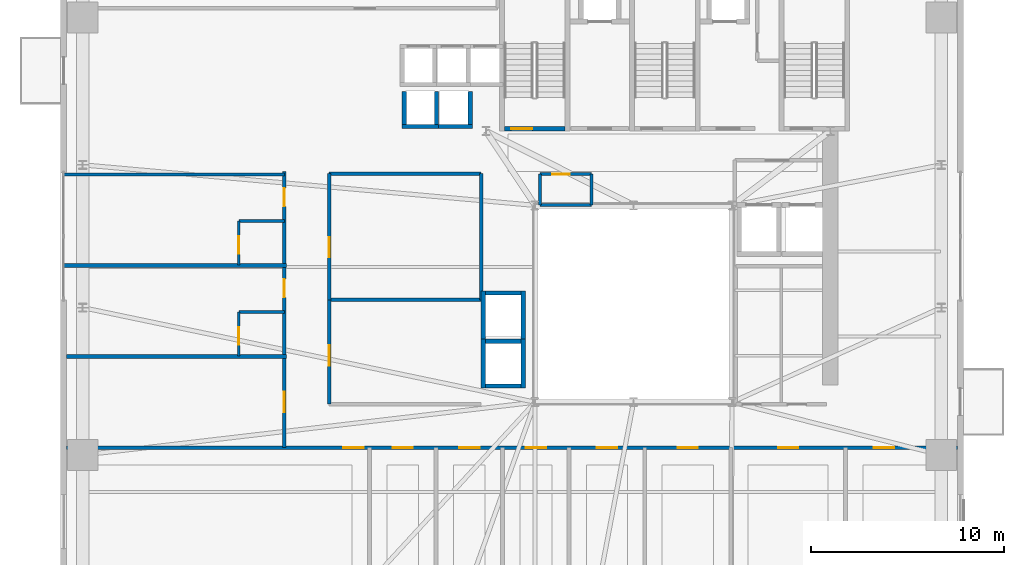
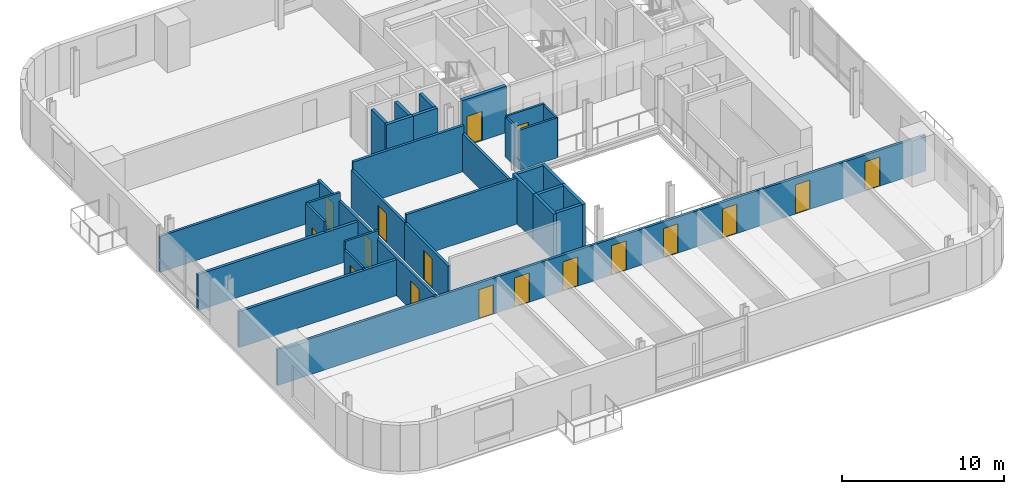
# One storey, part 6 of 14: 31 walls, 17 doors, 17 openings.
"""IFC4 building model written with IfcOpenShell, lengths in metres."""

from ifc_helpers import new_model, si_unit, direction, frame, frame_2d, origin, place, context, subcontext, project, spatial, rectangle, extrude, source, transform, mapped, material, layer, layer_set, type_object, element, fill, save


model = new_model("IFC4")

# Units and contexts
model_context = context("Model", 3, precision=1e-05, world=origin(), true_north=direction((0.0, 1.0)))
body_context = subcontext(model_context, "Body", "Model", "MODEL_VIEW")
ifc_project = project(units=[si_unit("LENGTHUNIT", "METRE"), si_unit("AREAUNIT", "SQUARE_METRE"), si_unit("VOLUMEUNIT", "CUBIC_METRE"), si_unit("PLANEANGLEUNIT", "RADIAN"), si_unit("MASSUNIT", "GRAM", prefix="KILO")], contexts=[model_context])

# Site, building, storey
site_placement = place(None, origin())
site = spatial("IfcSite", under=ifc_project, at=site_placement, CompositionType="ELEMENT")
building_placement = place(site_placement, origin())
building = spatial("IfcBuilding", under=site, at=building_placement, Name="Vardaveli Station Tower", CompositionType="ELEMENT")
storey_placement = place(building_placement, frame((0.0, 0.0, 133.5)))
storey = spatial("IfcBuildingStorey", under=building, at=storey_placement, Name="L34", CompositionType="ELEMENT", Elevation=133.5)

# Wall, opening, door
ifc_material_1 = material(Name="Concrete C40/50", Category="concrete")
ifc_layer_1 = layer(ifc_material_1, 0.25, Name="Concrete C40/50")
ifc_layer_set_1 = layer_set([ifc_layer_1], Name="Concrete C40/50")
wall_type_1 = type_object("IfcWallType", Name="WAL-SHAFT-250", PredefinedType="SOLIDWALL", material=ifc_layer_set_1)
shared_shape_1 = source(origin(), body_context, "Body", "SweptSolid", [
    extrude(rectangle(XDim=3.14990234375, YDim=0.25, at=frame_2d((1.574951171875, 0.0))), origin(), (0.0, 0.0, 1.0), 3.5),
])
wall_1_placement = place(storey_placement, frame((29.60009765625, 30.77490234375, 0.0), z_axis=(0.0, 0.0, 1.0), x_axis=(1.0, 0.0, 0.0)))
wall_1 = element("IfcWall", 1, at=wall_1_placement, inside=storey, type_object=wall_type_1, Name="W-L34-ST-1S", PredefinedType="SOLIDWALL", context=body_context, shape_type="MappedRepresentation", body=[
    mapped(shared_shape_1, transform((0.0, 0.0, 0.0), scale=1.0)),
])
shared_shape_2 = source(origin(), body_context, "Body", "SweptSolid", [
    extrude(rectangle(XDim=1.10009765625, YDim=2.199951171875, at=frame_2d((0.550048828125, 1.10009765625))), frame((0.0, 0.135009765625, 0.0), z_axis=(0.0, -1.0, 0.0), x_axis=(1.0, 0.0, 0.0)), (0.0, 0.0, 1.0), 0.27001953125),
])
opening_1_placement = place(wall_1_placement, frame((0.35009765625, 0.0, 0.0)))
opening_1 = element("IfcOpeningElement", 2, at=opening_1_placement, cuts=wall_1, Name="Opening D-04", PredefinedType="OPENING", context=body_context, shape_type="MappedRepresentation", body=[
    mapped(shared_shape_2, transform((0.0, 0.0, 0.0), scale=1.0)),
])
ifc_material_2 = material(Name="Steel smokeproof fire doorset", Category="steel")
door_type_1 = type_object("IfcDoorType", Name="DR-ST-1100x2200", OperationType="NOTDEFINED", PredefinedType="DOOR", material=ifc_material_2)
shared_shape_3 = source(origin(), body_context, "Body", "SweptSolid", [
    extrude(rectangle(XDim=1.10009765625, YDim=2.199951171875, at=frame_2d((0.550048828125, 1.10009765625))), frame((0.0, 0.02490234375, 0.0), z_axis=(0.0, -1.0, 0.0), x_axis=(1.0, 0.0, 0.0)), (0.0, 0.0, 1.0), 0.050048828125),
])
door_1_placement = place(opening_1_placement, origin())
door_1 = element("IfcDoor", 3, at=door_1_placement, inside=storey, type_object=door_type_1, Name="DST-1-L34", OperationType="SINGLE_SWING_LEFT", OverallHeight=2.199951171875, OverallWidth=1.10009765625, PredefinedType="DOOR", context=body_context, shape_type="MappedRepresentation", body=[
    mapped(shared_shape_3, transform((0.0, 0.0, 0.0), scale=1.0)),
])
fill(opening_1, door_1)

# Walls
ifc_layer_2 = layer(ifc_material_1, 0.219970703125, Name="Concrete C40/50")
ifc_layer_set_2 = layer_set([ifc_layer_2], Name="Concrete C40/50")
wall_type_2 = type_object("IfcWallType", Name="WAL-FFLOBBY-220", PredefinedType="SOLIDWALL", material=ifc_layer_set_2)
shared_shape_4 = source(origin(), body_context, "Body", "SweptSolid", [
    extrude(rectangle(XDim=1.89013671875, YDim=0.219970703125, at=frame_2d((0.945068359375, 0.0))), origin(), (0.0, 0.0, 1.0), 3.4599609375),
])
for number, where, z_axis, x_axis, name in (
    (4, (24.304931640625, 30.889892578125, 0.0), (0.0, 0.0, 1.0), (1.0, 0.0, 0.0), "SHW-SHU-01-L34-S"),
    (5, (26.054931640625, 30.889892578125, 0.0), (0.0, 0.0, 1.0), (1.0, 0.0, 0.0), "SHW-SHU-02-L34-S"),
):
    element("IfcWall", number, at=place(storey_placement, frame(where, z_axis=z_axis, x_axis=x_axis)), inside=storey, type_object=wall_type_2, Name=name, PredefinedType="SOLIDWALL", context=body_context, shape_type="MappedRepresentation", body=[
        mapped(shared_shape_4, transform((0.0, 0.0, 0.0), scale=1.0)),
    ])
shared_shape_5 = source(origin(), body_context, "Body", "SweptSolid", [
    extrude(rectangle(XDim=1.699951171875, YDim=0.219970703125, at=frame_2d((0.85009765625, 0.0))), origin(), (0.0, 0.0, 1.0), 3.4599609375),
])
for number, where, z_axis, x_axis, name in (
    (6, (24.4150390625, 31.0, 0.0), (0.0, 0.0, 1.0), (0.0, 1.0, 0.0), "SHW-SHU-01-L34-W"),
    (7, (26.0849609375, 31.0, 0.0), (0.0, 0.0, 1.0), (0.0, 1.0, 0.0), "SHW-SHU-01-L34-E"),
    (8, (27.8349609375, 31.0, 0.0), (0.0, 0.0, 1.0), (0.0, 1.0, 0.0), "SHW-SHU-02-L34-E"),
):
    element("IfcWall", number, at=place(storey_placement, frame(where, z_axis=z_axis, x_axis=x_axis)), inside=storey, type_object=wall_type_2, Name=name, PredefinedType="SOLIDWALL", context=body_context, shape_type="MappedRepresentation", body=[
        mapped(shared_shape_5, transform((0.0, 0.0, 0.0), scale=1.0)),
    ])
shared_shape_6 = source(origin(), body_context, "Body", "SweptSolid", [
    extrude(rectangle(XDim=1.85009765625, YDim=0.219970703125, at=frame_2d((0.925048828125, 0.0))), origin(), (0.0, 0.0, 1.0), 3.4599609375),
])
for number, where, z_axis, x_axis, name in (
    (9, (28.625, 17.43994140625, 0.0), (0.0, 0.0, 1.0), (1.0, 0.0, 0.0), "SHW-OBS-01-L34-S"),
    (10, (28.625, 19.760009765625, 0.0), (0.0, 0.0, 1.0), (1.0, 0.0, 0.0), "SHW-OBS-01-L34-N"),
    (11, (28.625, 22.260009765625, 0.0), (0.0, 0.0, 1.0), (1.0, 0.0, 0.0), "SHW-OBS-02-L34-N"),
):
    element("IfcWall", number, at=place(storey_placement, frame(where, z_axis=z_axis, x_axis=x_axis)), inside=storey, type_object=wall_type_2, Name=name, PredefinedType="SOLIDWALL", context=body_context, shape_type="MappedRepresentation", body=[
        mapped(shared_shape_6, transform((0.0, 0.0, 0.0), scale=1.0)),
    ])
shared_shape_7 = source(origin(), body_context, "Body", "SweptSolid", [
    extrude(rectangle(XDim=2.5400390625, YDim=0.219970703125, at=frame_2d((1.27001953125, 0.0))), origin(), (0.0, 0.0, 1.0), 3.4599609375),
])
for number, where, z_axis, x_axis, name in (
    (12, (28.514892578125, 17.330078125, 0.0), (0.0, 0.0, 1.0), (0.0, 1.0, 0.0), "SHW-OBS-01-L34-W"),
    (13, (30.5849609375, 17.330078125, 0.0), (0.0, 0.0, 1.0), (0.0, 1.0, 0.0), "SHW-OBS-01-L34-E"),
    (14, (28.514892578125, 19.830078125, 0.0), (0.0, 0.0, 1.0), (0.0, 1.0, 0.0), "SHW-OBS-02-L34-W"),
    (15, (30.5849609375, 19.830078125, 0.0), (0.0, 0.0, 1.0), (0.0, 1.0, 0.0), "SHW-OBS-02-L34-E"),
):
    element("IfcWall", number, at=place(storey_placement, frame(where, z_axis=z_axis, x_axis=x_axis)), inside=storey, type_object=wall_type_2, Name=name, PredefinedType="SOLIDWALL", context=body_context, shape_type="MappedRepresentation", body=[
        mapped(shared_shape_7, transform((0.0, 0.0, 0.0), scale=1.0)),
    ])

# Wall, openings, doors
ifc_material_3 = material(Name="Fire-rated gypsum stud partition")
ifc_layer_3 = layer(ifc_material_3, 0.179931640625, Name="Fire-rated gypsum stud partition")
ifc_layer_set_3 = layer_set([ifc_layer_3], Name="Fire-rated gypsum stud partition")
wall_type_3 = type_object("IfcWallType", Name="WAL-CORR-180", PredefinedType="PARTITIONING", material=ifc_layer_set_3)
shared_shape_8 = source(origin(), body_context, "Body", "SweptSolid", [
    extrude(rectangle(XDim=46.15576171875, YDim=0.179931640625, at=frame_2d((23.077880859375, 0.0))), origin(), (0.0, 0.0, 1.0), 2.701904296875),
])
wall_2_placement = place(storey_placement, frame((6.922119140625, 14.25, 0.0), z_axis=(0.0, 0.0, 1.0), x_axis=(1.0, 0.0, 0.0)))
wall_2 = element("IfcWall", 16, at=wall_2_placement, inside=storey, type_object=wall_type_3, Name="W-L34-CS", PredefinedType="PARTITIONING", context=body_context, shape_type="MappedRepresentation", body=[
    mapped(shared_shape_8, transform((0.0, 0.0, 0.0), scale=1.0)),
])
shared_shape_9 = source(origin(), body_context, "Body", "SweptSolid", [
    extrude(rectangle(XDim=1.050048828125, YDim=2.199951171875, at=frame_2d((0.52490234375, 1.10009765625))), frame((0.0, 0.10009765625, 0.0), z_axis=(0.0, -1.0, 0.0), x_axis=(1.0, 0.0, 0.0)), (0.0, 0.0, 1.0), 0.199951171875),
])
opening_2_placement = place(wall_2_placement, frame((14.33837890625, 0.0, 0.0)))
opening_2 = element("IfcOpeningElement", 17, at=opening_2_placement, cuts=wall_2, Name="Opening D-05", PredefinedType="OPENING", context=body_context, shape_type="MappedRepresentation", body=[
    mapped(shared_shape_9, transform((0.0, 0.0, 0.0), scale=1.0)),
])
opening_3_placement = place(wall_2_placement, frame((16.893310546875, 0.0, 0.0)))
opening_3 = element("IfcOpeningElement", 18, at=opening_3_placement, cuts=wall_2, Name="Opening D-05", PredefinedType="OPENING", context=body_context, shape_type="MappedRepresentation", body=[
    mapped(shared_shape_9, transform((0.0, 0.0, 0.0), scale=1.0)),
])
opening_4_placement = place(wall_2_placement, frame((20.343505859375, 0.0, 0.0)))
opening_4 = element("IfcOpeningElement", 19, at=opening_4_placement, cuts=wall_2, Name="Opening D-05", PredefinedType="OPENING", context=body_context, shape_type="MappedRepresentation", body=[
    mapped(shared_shape_9, transform((0.0, 0.0, 0.0), scale=1.0)),
])
opening_5_placement = place(wall_2_placement, frame((23.79345703125, 0.0, 0.0)))
opening_5 = element("IfcOpeningElement", 20, at=opening_5_placement, cuts=wall_2, Name="Opening D-05", PredefinedType="OPENING", context=body_context, shape_type="MappedRepresentation", body=[
    mapped(shared_shape_9, transform((0.0, 0.0, 0.0), scale=1.0)),
])
opening_6_placement = place(wall_2_placement, frame((27.47900390625, 0.0, 0.0)))
opening_6 = element("IfcOpeningElement", 21, at=opening_6_placement, cuts=wall_2, Name="Opening D-05", PredefinedType="OPENING", context=body_context, shape_type="MappedRepresentation", body=[
    mapped(shared_shape_9, transform((0.0, 0.0, 0.0), scale=1.0)),
])
opening_7_placement = place(wall_2_placement, frame((31.666015625, 0.0, 0.0)))
opening_7 = element("IfcOpeningElement", 22, at=opening_7_placement, cuts=wall_2, Name="Opening D-05", PredefinedType="OPENING", context=body_context, shape_type="MappedRepresentation", body=[
    mapped(shared_shape_9, transform((0.0, 0.0, 0.0), scale=1.0)),
])
opening_8_placement = place(wall_2_placement, frame((36.868896484375, 0.0, 0.0)))
opening_8 = element("IfcOpeningElement", 23, at=opening_8_placement, cuts=wall_2, Name="Opening D-05", PredefinedType="OPENING", context=body_context, shape_type="MappedRepresentation", body=[
    mapped(shared_shape_9, transform((0.0, 0.0, 0.0), scale=1.0)),
])
opening_9_placement = place(wall_2_placement, frame((41.827880859375, 0.0, 0.0)))
opening_9 = element("IfcOpeningElement", 24, at=opening_9_placement, cuts=wall_2, Name="Opening D-05", PredefinedType="OPENING", context=body_context, shape_type="MappedRepresentation", body=[
    mapped(shared_shape_9, transform((0.0, 0.0, 0.0), scale=1.0)),
])
ifc_material_4 = material(Name="Walnut veneer acoustic fire door")
door_type_2 = type_object("IfcDoorType", Name="DR-SUITE-1050x2200", OperationType="NOTDEFINED", PredefinedType="DOOR", material=ifc_material_4)
shared_shape_10 = source(origin(), body_context, "Body", "SweptSolid", [
    extrude(rectangle(XDim=1.050048828125, YDim=2.199951171875, at=frame_2d((0.52490234375, 1.10009765625))), frame((0.0, 0.02490234375, 0.0), z_axis=(0.0, -1.0, 0.0), x_axis=(1.0, 0.0, 0.0)), (0.0, 0.0, 1.0), 0.050048828125),
])
door_2_placement = place(opening_2_placement, origin())
door_2 = element("IfcDoor", 25, at=door_2_placement, inside=storey, type_object=door_type_2, Name="D-L34-SA1", OperationType="SINGLE_SWING_RIGHT", OverallHeight=2.199951171875, OverallWidth=1.050048828125, PredefinedType="DOOR", context=body_context, shape_type="MappedRepresentation", body=[
    mapped(shared_shape_10, transform((0.0, 0.0, 0.0), scale=1.0)),
])
fill(opening_2, door_2)
door_3_placement = place(opening_3_placement, origin())
door_3 = element("IfcDoor", 26, at=door_3_placement, inside=storey, type_object=door_type_2, Name="D-L34-SA2", OperationType="SINGLE_SWING_LEFT", OverallHeight=2.199951171875, OverallWidth=1.050048828125, PredefinedType="DOOR", context=body_context, shape_type="MappedRepresentation", body=[
    mapped(shared_shape_10, transform((0.0, 0.0, 0.0), scale=1.0)),
])
fill(opening_3, door_3)
door_4_placement = place(opening_4_placement, origin())
door_4 = element("IfcDoor", 27, at=door_4_placement, inside=storey, type_object=door_type_2, Name="D-L34-SA3", OperationType="SINGLE_SWING_RIGHT", OverallHeight=2.199951171875, OverallWidth=1.050048828125, PredefinedType="DOOR", context=body_context, shape_type="MappedRepresentation", body=[
    mapped(shared_shape_10, transform((0.0, 0.0, 0.0), scale=1.0)),
])
fill(opening_4, door_4)
door_5_placement = place(opening_5_placement, origin())
door_5 = element("IfcDoor", 28, at=door_5_placement, inside=storey, type_object=door_type_2, Name="D-L34-SA4", OperationType="SINGLE_SWING_LEFT", OverallHeight=2.199951171875, OverallWidth=1.050048828125, PredefinedType="DOOR", context=body_context, shape_type="MappedRepresentation", body=[
    mapped(shared_shape_10, transform((0.0, 0.0, 0.0), scale=1.0)),
])
fill(opening_5, door_5)
door_6_placement = place(opening_6_placement, origin())
door_6 = element("IfcDoor", 29, at=door_6_placement, inside=storey, type_object=door_type_2, Name="D-L34-SA5", OperationType="SINGLE_SWING_RIGHT", OverallHeight=2.199951171875, OverallWidth=1.050048828125, PredefinedType="DOOR", context=body_context, shape_type="MappedRepresentation", body=[
    mapped(shared_shape_10, transform((0.0, 0.0, 0.0), scale=1.0)),
])
fill(opening_6, door_6)
door_7_placement = place(opening_7_placement, origin())
door_7 = element("IfcDoor", 30, at=door_7_placement, inside=storey, type_object=door_type_2, Name="D-L34-SA6", OperationType="SINGLE_SWING_LEFT", OverallHeight=2.199951171875, OverallWidth=1.050048828125, PredefinedType="DOOR", context=body_context, shape_type="MappedRepresentation", body=[
    mapped(shared_shape_10, transform((0.0, 0.0, 0.0), scale=1.0)),
])
fill(opening_7, door_7)
door_8_placement = place(opening_8_placement, origin())
door_8 = element("IfcDoor", 31, at=door_8_placement, inside=storey, type_object=door_type_2, Name="D-L34-SA7", OperationType="SINGLE_SWING_RIGHT", OverallHeight=2.199951171875, OverallWidth=1.050048828125, PredefinedType="DOOR", context=body_context, shape_type="MappedRepresentation", body=[
    mapped(shared_shape_10, transform((0.0, 0.0, 0.0), scale=1.0)),
])
fill(opening_8, door_8)
door_9_placement = place(opening_9_placement, origin())
door_9 = element("IfcDoor", 32, at=door_9_placement, inside=storey, type_object=door_type_2, Name="D-L34-SA8", OperationType="SINGLE_SWING_LEFT", OverallHeight=2.199951171875, OverallWidth=1.050048828125, PredefinedType="DOOR", context=body_context, shape_type="MappedRepresentation", body=[
    mapped(shared_shape_10, transform((0.0, 0.0, 0.0), scale=1.0)),
])
fill(opening_9, door_9)

# Wall, opening, door
shared_shape_11 = source(origin(), body_context, "Body", "SweptSolid", [
    extrude(rectangle(XDim=6.5400390625, YDim=0.179931640625, at=frame_2d((3.27001953125, 0.0))), origin(), (0.0, 0.0, 1.0), 2.85205078125),
])
wall_3_placement = place(storey_placement, frame((20.52001953125, 21.89990234375, 0.0), z_axis=(0.0, 0.0, 1.0), x_axis=(0.0, 1.0, 0.0)))
wall_3 = element("IfcWall", 33, at=wall_3_placement, inside=storey, type_object=wall_type_3, Name="W-L34-ATW2-W", PredefinedType="PARTITIONING", context=body_context, shape_type="MappedRepresentation", body=[
    mapped(shared_shape_11, transform((0.0, 0.0, 0.0), scale=1.0)),
])
opening_10_placement = place(wall_3_placement, frame((2.199951171875, 0.0, 0.0)))
opening_10 = element("IfcOpeningElement", 34, at=opening_10_placement, cuts=wall_3, Name="Opening D-05", PredefinedType="OPENING", context=body_context, shape_type="MappedRepresentation", body=[
    mapped(shared_shape_9, transform((0.0, 0.0, 0.0), scale=1.0)),
])
door_10_placement = place(opening_10_placement, origin())
door_10 = element("IfcDoor", 35, at=door_10_placement, inside=storey, type_object=door_type_2, Name="D-L34-ATW2", OperationType="SINGLE_SWING_LEFT", OverallHeight=2.199951171875, OverallWidth=1.050048828125, PredefinedType="DOOR", context=body_context, shape_type="MappedRepresentation", body=[
    mapped(shared_shape_10, transform((0.0, 0.0, 0.0), scale=1.0)),
])
fill(opening_10, door_10)

# Wall
wall_4_placement = place(storey_placement, frame((28.39990234375, 21.89990234375, 0.0), z_axis=(0.0, 0.0, 1.0), x_axis=(0.0, 1.0, 0.0)))
element("IfcWall", 36, at=wall_4_placement, inside=storey, type_object=wall_type_3, Name="W-L34-ATW2-E", PredefinedType="PARTITIONING", context=body_context, shape_type="MappedRepresentation", body=[
    mapped(shared_shape_11, transform((0.0, 0.0, 0.0), scale=1.0)),
])

# Wall, opening, door
shared_shape_12 = source(origin(), body_context, "Body", "SweptSolid", [
    extrude(rectangle(XDim=5.39990234375, YDim=0.179931640625, at=frame_2d((2.699951171875, 0.0))), origin(), (0.0, 0.0, 1.0), 2.85205078125),
])
wall_5_placement = place(storey_placement, frame((20.52001953125, 16.5, 0.0), z_axis=(0.0, 0.0, 1.0), x_axis=(0.0, 1.0, 0.0)))
wall_5 = element("IfcWall", 37, at=wall_5_placement, inside=storey, type_object=wall_type_3, Name="W-L34-ATW1-W", PredefinedType="PARTITIONING", context=body_context, shape_type="MappedRepresentation", body=[
    mapped(shared_shape_12, transform((0.0, 0.0, 0.0), scale=1.0)),
])
opening_11_placement = place(wall_5_placement, frame((2.0, 0.0, 0.0)))
opening_11 = element("IfcOpeningElement", 38, at=opening_11_placement, cuts=wall_5, Name="Opening D-05", PredefinedType="OPENING", context=body_context, shape_type="MappedRepresentation", body=[
    mapped(shared_shape_9, transform((0.0, 0.0, 0.0), scale=1.0)),
])
door_11_placement = place(opening_11_placement, origin())
door_11 = element("IfcDoor", 39, at=door_11_placement, inside=storey, type_object=door_type_2, Name="D-L34-ATW1", OperationType="SINGLE_SWING_RIGHT", OverallHeight=2.199951171875, OverallWidth=1.050048828125, PredefinedType="DOOR", context=body_context, shape_type="MappedRepresentation", body=[
    mapped(shared_shape_10, transform((0.0, 0.0, 0.0), scale=1.0)),
])
fill(opening_11, door_11)

ifc_material_5 = material(Name="Moisture-resistant stud partition")
ifc_layer_4 = layer(ifc_material_5, 0.14990234375, Name="Moisture-resistant stud partition")
ifc_layer_set_4 = layer_set([ifc_layer_4], Name="Moisture-resistant stud partition")
wall_type_4 = type_object("IfcWallType", Name="WAL-WET-150", PredefinedType="PARTITIONING", material=ifc_layer_set_4)
shared_shape_13 = source(origin(), body_context, "Body", "SweptSolid", [
    extrude(rectangle(XDim=2.670166015625, YDim=0.14990234375, at=frame_2d((1.3349609375, 0.0))), origin(), (0.0, 0.0, 1.0), 3.092041015625),
])
wall_6_placement = place(storey_placement, frame((31.449951171875, 28.419921875, 0.0), z_axis=(0.0, 0.0, 1.0), x_axis=(1.0, 0.0, 0.0)))
wall_6 = element("IfcWall", 40, at=wall_6_placement, inside=storey, type_object=wall_type_4, Name="W-L34-WCA1-N", PredefinedType="PARTITIONING", context=body_context, shape_type="MappedRepresentation", body=[
    mapped(shared_shape_13, transform((0.0, 0.0, 0.0), scale=1.0)),
])
shared_shape_14 = source(origin(), body_context, "Body", "SweptSolid", [
    extrude(rectangle(XDim=0.919921875, YDim=2.10009765625, at=frame_2d((0.4599609375, 1.050048828125))), frame((0.0, 0.0849609375, 0.0), z_axis=(0.0, -1.0, 0.0), x_axis=(1.0, 0.0, 0.0)), (0.0, 0.0, 1.0), 0.169921875),
])
opening_12_placement = place(wall_6_placement, frame((0.6298828125, 0.0, 0.0)))
opening_12 = element("IfcOpeningElement", 41, at=opening_12_placement, cuts=wall_6, Name="Opening D-07", PredefinedType="OPENING", context=body_context, shape_type="MappedRepresentation", body=[
    mapped(shared_shape_14, transform((0.0, 0.0, 0.0), scale=1.0)),
])
ifc_material_6 = material(Name="Moisture-resistant hardwood door", Category="wood")
door_type_3 = type_object("IfcDoorType", Name="DR-WC-920x2100", OperationType="NOTDEFINED", PredefinedType="DOOR", material=ifc_material_6)
shared_shape_15 = source(origin(), body_context, "Body", "SweptSolid", [
    extrude(rectangle(XDim=0.919921875, YDim=2.10009765625, at=frame_2d((0.4599609375, 1.050048828125))), frame((0.0, 0.02490234375, 0.0), z_axis=(0.0, -1.0, 0.0), x_axis=(1.0, 0.0, 0.0)), (0.0, 0.0, 1.0), 0.050048828125),
])
door_12_placement = place(opening_12_placement, origin())
door_12 = element("IfcDoor", 42, at=door_12_placement, inside=storey, type_object=door_type_3, Name="D-L34-WCA", OperationType="SINGLE_SWING_LEFT", OverallHeight=2.10009765625, OverallWidth=0.919921875, PredefinedType="DOOR", context=body_context, shape_type="MappedRepresentation", body=[
    mapped(shared_shape_15, transform((0.0, 0.0, 0.0), scale=1.0)),
])
fill(opening_12, door_12)

# Walls
shared_shape_16 = source(origin(), body_context, "Body", "SweptSolid", [
    extrude(rectangle(XDim=11.469970703125, YDim=0.179931640625, at=frame_2d((5.73486328125, 0.0))), origin(), (0.0, 0.0, 1.0), 2.701904296875),
])
wall_7_placement = place(storey_placement, frame((6.72998046875, 28.39990234375, 0.0), z_axis=(0.0, 0.0, 1.0), x_axis=(1.0, 0.0, 0.0)))
element("IfcWall", 43, at=wall_7_placement, inside=storey, type_object=wall_type_3, Name="W-L34-CWN", PredefinedType="PARTITIONING", context=body_context, shape_type="MappedRepresentation", body=[
    mapped(shared_shape_16, transform((0.0, 0.0, 0.0), scale=1.0)),
])
shared_shape_17 = source(origin(), body_context, "Body", "SweptSolid", [
    extrude(rectangle(XDim=7.8798828125, YDim=0.179931640625, at=frame_2d((3.93994140625, 0.0))), origin(), (0.0, 0.0, 1.0), 3.4599609375),
])
for number, where, z_axis, x_axis, name in (
    (44, (20.52001953125, 21.89990234375, 0.0), (0.0, 0.0, 1.0), (1.0, 0.0, 0.0), "W-L34-ATW1-N"),
    (45, (20.52001953125, 28.43994140625, 0.0), (0.0, 0.0, 1.0), (1.0, 0.0, 0.0), "W-L34-ATW2-N"),
):
    element("IfcWall", number, at=place(storey_placement, frame(where, z_axis=z_axis, x_axis=x_axis)), inside=storey, type_object=wall_type_3, Name=name, PredefinedType="PARTITIONING", context=body_context, shape_type="MappedRepresentation", body=[
        mapped(shared_shape_17, transform((0.0, 0.0, 0.0), scale=1.0)),
    ])
shared_shape_18 = source(origin(), body_context, "Body", "SweptSolid", [
    extrude(rectangle(XDim=2.670166015625, YDim=0.14990234375, at=frame_2d((1.3349609375, 0.0))), origin(), (0.0, 0.0, 1.0), 3.001953125),
])
wall_8_placement = place(storey_placement, frame((31.449951171875, 26.820068359375, 0.0), z_axis=(0.0, 0.0, 1.0), x_axis=(1.0, 0.0, 0.0)))
element("IfcWall", 46, at=wall_8_placement, inside=storey, type_object=wall_type_4, Name="W-L34-WCA1-S", PredefinedType="PARTITIONING", context=body_context, shape_type="MappedRepresentation", body=[
    mapped(shared_shape_18, transform((0.0, 0.0, 0.0), scale=1.0)),
])

# Wall, opening, door
shared_shape_19 = source(origin(), body_context, "Body", "SweptSolid", [
    extrude(rectangle(XDim=2.2900390625, YDim=0.14990234375, at=frame_2d((1.14501953125, 0.0))), origin(), (0.0, 0.0, 1.0), 2.85205078125),
])
wall_9_placement = place(storey_placement, frame((15.840087890625, 18.987060546875, 0.0), z_axis=(0.0, 0.0, 1.0), x_axis=(0.0, 1.0, 0.0)))
wall_9 = element("IfcWall", 47, at=wall_9_placement, inside=storey, type_object=wall_type_4, Name="W-L34-BW2-W", PredefinedType="PARTITIONING", context=body_context, shape_type="MappedRepresentation", body=[
    mapped(shared_shape_19, transform((0.0, 0.0, 0.0), scale=1.0)),
])
shared_shape_20 = source(origin(), body_context, "Body", "SweptSolid", [
    extrude(rectangle(XDim=0.89990234375, YDim=2.10009765625, at=frame_2d((0.449951171875, 1.050048828125))), frame((0.0, 0.0849609375, 0.0), z_axis=(0.0, -1.0, 0.0), x_axis=(1.0, 0.0, 0.0)), (0.0, 0.0, 1.0), 0.169921875),
])
opening_13_placement = place(wall_9_placement, frame((0.60009765625, 0.0, 0.0)))
opening_13 = element("IfcOpeningElement", 48, at=opening_13_placement, cuts=wall_9, Name="Opening D-08", PredefinedType="OPENING", context=body_context, shape_type="MappedRepresentation", body=[
    mapped(shared_shape_20, transform((0.0, 0.0, 0.0), scale=1.0)),
])
ifc_material_7 = material(Name="Moisture-resistant oak door")
door_type_4 = type_object("IfcDoorType", Name="DR-BATH-900x2100", OperationType="NOTDEFINED", PredefinedType="DOOR", material=ifc_material_7)
shared_shape_21 = source(origin(), body_context, "Body", "SweptSolid", [
    extrude(rectangle(XDim=0.89990234375, YDim=2.10009765625, at=frame_2d((0.449951171875, 1.050048828125))), frame((0.0, 0.02490234375, 0.0), z_axis=(0.0, -1.0, 0.0), x_axis=(1.0, 0.0, 0.0)), (0.0, 0.0, 1.0), 0.050048828125),
])
door_13_placement = place(opening_13_placement, origin())
door_13 = element("IfcDoor", 49, at=door_13_placement, inside=storey, type_object=door_type_4, Name="D-L34-BW2", OperationType="SINGLE_SWING_RIGHT", OverallHeight=2.10009765625, OverallWidth=0.89990234375, PredefinedType="DOOR", context=body_context, shape_type="MappedRepresentation", body=[
    mapped(shared_shape_21, transform((0.0, 0.0, 0.0), scale=1.0)),
])
fill(opening_13, door_13)

# Walls
shared_shape_22 = source(origin(), body_context, "Body", "SweptSolid", [
    extrude(rectangle(XDim=1.599853515625, YDim=0.14990234375, at=frame_2d((0.7998046875, 0.0))), origin(), (0.0, 0.0, 1.0), 3.001953125),
])
for number, where, z_axis, x_axis, name in (
    (50, (31.449951171875, 26.820068359375, 0.0), (0.0, 0.0, 1.0), (0.0, 1.0, 0.0), "W-L34-WCA1-W"),
    (51, (34.1201171875, 26.820068359375, 0.0), (0.0, 0.0, 1.0), (0.0, 1.0, 0.0), "W-L34-WCA1-E"),
):
    element("IfcWall", number, at=place(storey_placement, frame(where, z_axis=z_axis, x_axis=x_axis)), inside=storey, type_object=wall_type_4, Name=name, PredefinedType="PARTITIONING", context=body_context, shape_type="MappedRepresentation", body=[
        mapped(shared_shape_22, transform((0.0, 0.0, 0.0), scale=1.0)),
    ])

# Wall, opening, door
shared_shape_23 = source(origin(), body_context, "Body", "SweptSolid", [
    extrude(rectangle(XDim=2.2900390625, YDim=0.14990234375, at=frame_2d((1.14501953125, 0.0))), origin(), (0.0, 0.0, 1.0), 3.4599609375),
])
wall_10_placement = place(storey_placement, frame((15.840087890625, 23.702880859375, 0.0), z_axis=(0.0, 0.0, 1.0), x_axis=(0.0, 1.0, 0.0)))
wall_10 = element("IfcWall", 52, at=wall_10_placement, inside=storey, type_object=wall_type_4, Name="W-L34-BW3-W", PredefinedType="PARTITIONING", context=body_context, shape_type="MappedRepresentation", body=[
    mapped(shared_shape_23, transform((0.0, 0.0, 0.0), scale=1.0)),
])
opening_14_placement = place(wall_10_placement, frame((0.60009765625, 0.0, 0.0)))
opening_14 = element("IfcOpeningElement", 53, at=opening_14_placement, cuts=wall_10, Name="Opening D-08", PredefinedType="OPENING", context=body_context, shape_type="MappedRepresentation", body=[
    mapped(shared_shape_20, transform((0.0, 0.0, 0.0), scale=1.0)),
])
door_14_placement = place(opening_14_placement, origin())
door_14 = element("IfcDoor", 54, at=door_14_placement, inside=storey, type_object=door_type_4, Name="D-L34-BW3", OperationType="SINGLE_SWING_LEFT", OverallHeight=2.10009765625, OverallWidth=0.89990234375, PredefinedType="DOOR", context=body_context, shape_type="MappedRepresentation", body=[
    mapped(shared_shape_21, transform((0.0, 0.0, 0.0), scale=1.0)),
])
fill(opening_14, door_14)

# Wall, openings, doors
shared_shape_24 = source(origin(), body_context, "Body", "SweptSolid", [
    extrude(rectangle(XDim=14.300048828125, YDim=0.179931640625, at=frame_2d((7.14990234375, 0.0))), origin(), (0.0, 0.0, 1.0), 2.85205078125),
])
wall_11_placement = place(storey_placement, frame((18.199951171875, 14.25, 0.0), z_axis=(0.0, 0.0, 1.0), x_axis=(0.0, 1.0, 0.0)))
wall_11 = element("IfcWall", 55, at=wall_11_placement, inside=storey, type_object=wall_type_3, Name="W-L34-CW", PredefinedType="PARTITIONING", context=body_context, shape_type="MappedRepresentation", body=[
    mapped(shared_shape_24, transform((0.0, 0.0, 0.0), scale=1.0)),
])
opening_15_placement = place(wall_11_placement, frame((1.83837890625, 0.0, 0.0)))
opening_15 = element("IfcOpeningElement", 56, at=opening_15_placement, cuts=wall_11, Name="Opening D-05", PredefinedType="OPENING", context=body_context, shape_type="MappedRepresentation", body=[
    mapped(shared_shape_9, transform((0.0, 0.0, 0.0), scale=1.0)),
])
shared_shape_25 = source(origin(), body_context, "Body", "SweptSolid", [
    extrude(rectangle(XDim=0.949951171875, YDim=2.14990234375, at=frame_2d((0.47509765625, 1.074951171875))), frame((0.0, 0.10009765625, 0.0), z_axis=(0.0, -1.0, 0.0), x_axis=(1.0, 0.0, 0.0)), (0.0, 0.0, 1.0), 0.199951171875),
])
opening_16_placement = place(wall_11_placement, frame((7.780029296875, 0.0, 0.0)))
opening_16 = element("IfcOpeningElement", 57, at=opening_16_placement, cuts=wall_11, Name="Opening D-06", PredefinedType="OPENING", context=body_context, shape_type="MappedRepresentation", body=[
    mapped(shared_shape_25, transform((0.0, 0.0, 0.0), scale=1.0)),
])
opening_17_placement = place(wall_11_placement, frame((12.49658203125, 0.0, 0.0)))
opening_17 = element("IfcOpeningElement", 58, at=opening_17_placement, cuts=wall_11, Name="Opening D-06", PredefinedType="OPENING", context=body_context, shape_type="MappedRepresentation", body=[
    mapped(shared_shape_25, transform((0.0, 0.0, 0.0), scale=1.0)),
])
door_15_placement = place(opening_15_placement, origin())
door_15 = element("IfcDoor", 59, at=door_15_placement, inside=storey, type_object=door_type_2, Name="D-L34-GW1", OperationType="SINGLE_SWING_RIGHT", OverallHeight=2.199951171875, OverallWidth=1.050048828125, PredefinedType="DOOR", context=body_context, shape_type="MappedRepresentation", body=[
    mapped(shared_shape_10, transform((0.0, 0.0, 0.0), scale=1.0)),
])
fill(opening_15, door_15)
ifc_material_8 = material(Name="Oak veneer acoustic fire door")
door_type_5 = type_object("IfcDoorType", Name="DR-GUEST-950x2150", OperationType="NOTDEFINED", PredefinedType="DOOR", material=ifc_material_8)
shared_shape_26 = source(origin(), body_context, "Body", "SweptSolid", [
    extrude(rectangle(XDim=0.949951171875, YDim=2.14990234375, at=frame_2d((0.47509765625, 1.074951171875))), frame((0.0, 0.02490234375, 0.0), z_axis=(0.0, -1.0, 0.0), x_axis=(1.0, 0.0, 0.0)), (0.0, 0.0, 1.0), 0.050048828125),
])
door_16_placement = place(opening_16_placement, origin())
door_16 = element("IfcDoor", 60, at=door_16_placement, inside=storey, type_object=door_type_5, Name="D-L34-GW2", OperationType="SINGLE_SWING_LEFT", OverallHeight=2.14990234375, OverallWidth=0.949951171875, PredefinedType="DOOR", context=body_context, shape_type="MappedRepresentation", body=[
    mapped(shared_shape_26, transform((0.0, 0.0, 0.0), scale=1.0)),
])
fill(opening_16, door_16)
door_17_placement = place(opening_17_placement, origin())
door_17 = element("IfcDoor", 61, at=door_17_placement, inside=storey, type_object=door_type_5, Name="D-L34-GW3", OperationType="SINGLE_SWING_RIGHT", OverallHeight=2.14990234375, OverallWidth=0.949951171875, PredefinedType="DOOR", context=body_context, shape_type="MappedRepresentation", body=[
    mapped(shared_shape_26, transform((0.0, 0.0, 0.0), scale=1.0)),
])
fill(opening_17, door_17)

# Walls
ifc_material_9 = material(Name="Acoustic twin-stud gypsum partition")
ifc_layer_5 = layer(ifc_material_9, 0.199951171875, Name="Acoustic twin-stud gypsum partition")
ifc_layer_set_5 = layer_set([ifc_layer_5], Name="Acoustic twin-stud gypsum partition")
wall_type_5 = type_object("IfcWallType", Name="WAL-PARTY-200", PredefinedType="PARTITIONING", material=ifc_layer_set_5)
shared_shape_27 = source(origin(), body_context, "Body", "SweptSolid", [
    extrude(rectangle(XDim=11.3779296875, YDim=0.199951171875, at=frame_2d((5.68896484375, 0.0))), origin(), (0.0, 0.0, 1.0), 2.701904296875),
])
wall_12_placement = place(storey_placement, frame((6.922119140625, 18.967041015625, 0.0), z_axis=(0.0, 0.0, 1.0), x_axis=(1.0, 0.0, 0.0)))
element("IfcWall", 62, at=wall_12_placement, inside=storey, type_object=wall_type_5, Name="W-L34-PW1", PredefinedType="PARTITIONING", context=body_context, shape_type="MappedRepresentation", body=[
    mapped(shared_shape_27, transform((0.0, 0.0, 0.0), scale=1.0)),
])
shared_shape_28 = source(origin(), body_context, "Body", "SweptSolid", [
    extrude(rectangle(XDim=11.570068359375, YDim=0.199951171875, at=frame_2d((5.78515625, 0.0))), origin(), (0.0, 0.0, 1.0), 2.701904296875),
])
wall_13_placement = place(storey_placement, frame((6.72998046875, 23.68310546875, 0.0), z_axis=(0.0, 0.0, 1.0), x_axis=(1.0, 0.0, 0.0)))
element("IfcWall", 63, at=wall_13_placement, inside=storey, type_object=wall_type_5, Name="W-L34-PW2", PredefinedType="PARTITIONING", context=body_context, shape_type="MappedRepresentation", body=[
    mapped(shared_shape_28, transform((0.0, 0.0, 0.0), scale=1.0)),
])
shared_shape_29 = source(origin(), body_context, "Body", "SweptSolid", [
    extrude(rectangle(XDim=2.35986328125, YDim=0.14990234375, at=frame_2d((1.179931640625, 0.0))), origin(), (0.0, 0.0, 1.0), 3.4599609375),
])
for number, where, z_axis, x_axis, name in (
    (64, (15.840087890625, 21.277099609375, 0.0), (0.0, 0.0, 1.0), (1.0, 0.0, 0.0), "W-L34-BW2-N"),
    (65, (15.840087890625, 25.992919921875, 0.0), (0.0, 0.0, 1.0), (1.0, 0.0, 0.0), "W-L34-BW3-N"),
):
    element("IfcWall", number, at=place(storey_placement, frame(where, z_axis=z_axis, x_axis=x_axis)), inside=storey, type_object=wall_type_4, Name=name, PredefinedType="PARTITIONING", context=body_context, shape_type="MappedRepresentation", body=[
        mapped(shared_shape_29, transform((0.0, 0.0, 0.0), scale=1.0)),
    ])

save(model, "model.ifc")
